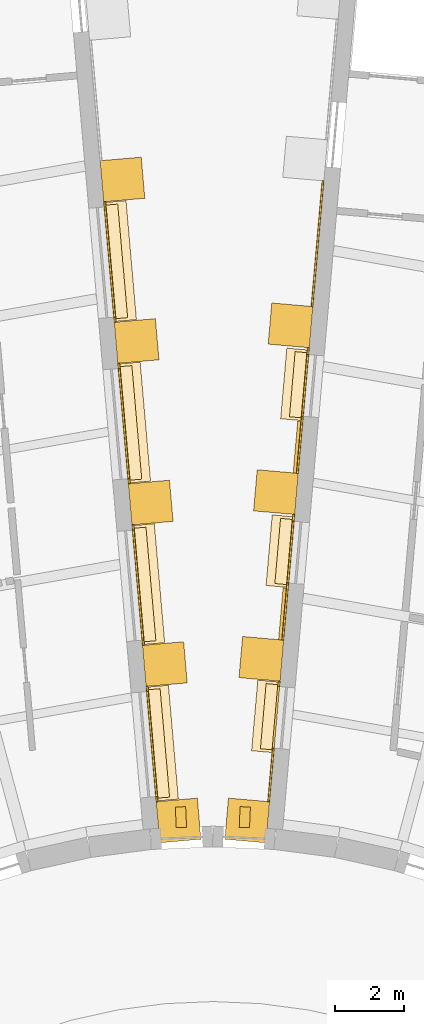
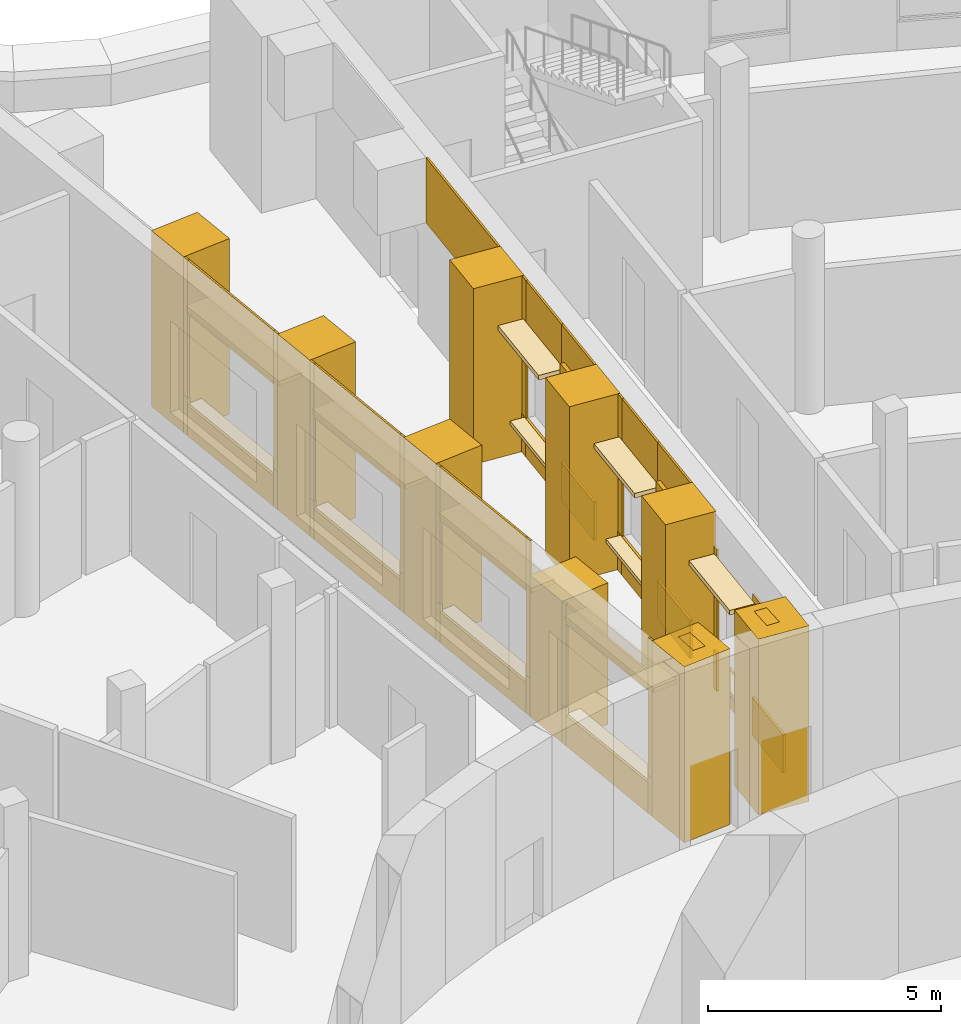
# One storey, part 78 of 85: 69 coverings.
"""IFC4 building model written with IfcOpenShell, lengths in metres."""

from ifc_helpers import new_model, si_unit, direction, frame, origin, origin_2d, place, context, subcontext, project, spatial, polyline, rectangle, outline, extrude, material, layer, layer_set, type_object, element, save


model = new_model("IFC4")

# Units and contexts
model_context = context("Model", 3, precision=1e-05, world=origin(), true_north=direction((0.0, 1.0)))
body_context = subcontext(model_context, "Body", "Model", "MODEL_VIEW")
ifc_project = project(units=[si_unit("LENGTHUNIT", "METRE"), si_unit("AREAUNIT", "SQUARE_METRE"), si_unit("VOLUMEUNIT", "CUBIC_METRE"), si_unit("PLANEANGLEUNIT", "RADIAN"), si_unit("MASSUNIT", "GRAM", prefix="KILO")], contexts=[model_context])

# Site, building, storey
site_placement = place(None, origin())
site = spatial("IfcSite", under=ifc_project, at=site_placement, CompositionType="ELEMENT")
building_placement = place(site_placement, origin())
building = spatial("IfcBuilding", under=site, at=building_placement, Name="Volute Hill Aquarium", CompositionType="ELEMENT")
storey_placement = place(building_placement, origin())
storey = spatial("IfcBuildingStorey", under=building, at=storey_placement, Name="L01", CompositionType="ELEMENT", Elevation=0.0)

# Coverings
ifc_material_1 = material(Name="Precast pale concrete C40/50", Category="concrete")
covering_type_1 = type_object("IfcCoveringType", Name="Drum pier fin 300x600", PredefinedType="CLADDING", material=ifc_material_1)
for number, where, z_axis, x_axis, name in (
    (1, (0.92822265625, 21.260009765625, 0.0), (0.0, 0.0, 1.0), (-0.999048221582, 0.043619387365, 0.0), "Drum pier fin DF 18 L01"),
    (2, (-0.92822265625, 21.260009765625, 0.0), (0.0, 0.0, 1.0), (-0.999048221582, -0.043619387365, 0.0), "Drum pier fin DF 19 L01"),
):
    element("IfcCovering", number, at=place(storey_placement, frame(where, z_axis=z_axis, x_axis=x_axis)), inside=storey, type_object=covering_type_1, Name=name, PredefinedType="CLADDING", context=body_context, shape_type="SweptSolid", body=[
        extrude(rectangle(XDim=0.300048828125, YDim=0.60009765625, at=origin_2d()), origin(), (0.0, 0.0, 1.0), 4.60009765625),
    ])
ifc_material_2 = material(Name="Aluminium", Category="aluminium")
ifc_layer_1 = layer(ifc_material_2, 0.10009765625)
ifc_layer_set_1 = layer_set([ifc_layer_1], Name="End wall plant louvre panel 100")
covering_type_2 = type_object("IfcCoveringType", Name="End wall plant louvre panel 100", PredefinedType="CLADDING", material=ifc_layer_set_1)
for number, where, z_axis, x_axis, name in (
    (3, (2.02587890625, 27.1708984375, 1.300048828125), (0.0, 0.0, 1.0), (0.087157252259, 0.996194566025, 0.0), "End wall plant louvre EWV S5B L01 2"),
    (4, (2.449951171875, 32.018310546875, 1.300048828125), (0.0, 0.0, 1.0), (0.087157252259, 0.996194566025, 0.0), "End wall plant louvre EWV S5B L01 3"),
):
    element("IfcCovering", number, at=place(storey_placement, frame(where, z_axis=z_axis, x_axis=x_axis)), inside=storey, type_object=covering_type_2, Name=name, PredefinedType="CLADDING", context=body_context, shape_type="SweptSolid", body=[
        extrude(rectangle(XDim=1.51611328125, YDim=0.10009765625, at=origin_2d()), origin(), (0.0, 0.0, 1.0), 2.39990234375),
    ])
ifc_material_3 = material(Name="Blue limestone", Category="masonry")
ifc_layer_2 = layer(ifc_material_3, 0.06005859375)
ifc_layer_set_2 = layer_set([ifc_layer_2], Name="End wall plinth blue limestone 60")
covering_type_3 = type_object("IfcCoveringType", Name="End wall plinth blue limestone 60", PredefinedType="CLADDING", material=ifc_layer_set_2)
covering_1_placement = place(storey_placement, frame((1.648193359375, 21.708740234375, 0.0), z_axis=(0.996199994718, -0.087095180828, 0.0), x_axis=(0.087095180828, 0.996199994718, 0.0)))
element("IfcCovering", 5, at=covering_1_placement, inside=storey, type_object=covering_type_3, Name="End wall plinth EWL S5B L01 1", PredefinedType="CLADDING", context=body_context, shape_type="SweptSolid", body=[
    extrude(outline(polyline([(0.0, 0.0), (1.5613530717946378, 0.0), (1.5613530717946378, 1.0), (0.0, 1.0), (0.0, 0.0)])), origin(), (0.0, 0.0, -1.0), 0.06005859375),
])
covering_2_placement = place(storey_placement, frame((1.7841796875, 23.26416015625, 0.0), z_axis=(0.996189004481, -0.087220796552, 0.0), x_axis=(0.087220796552, 0.996189004481, 0.0)))
element("IfcCovering", 6, at=covering_2_placement, inside=storey, type_object=covering_type_3, Name="End wall plinth EWL S5B L01 1", PredefinedType="CLADDING", context=body_context, shape_type="SweptSolid", body=[
    extrude(outline(polyline([(0.0, 0.0), (1.7998278860086325, 0.0), (1.7998278860086325, 1.0), (0.0, 1.0), (0.0, 0.0)])), origin(), (0.0, 0.0, -1.0), 0.06005859375),
])
covering_3_placement = place(storey_placement, frame((1.941162109375, 25.05712890625, 0.0), z_axis=(0.996234670974, -0.086697637506, 0.0), x_axis=(0.086697637506, 0.996234670974, 0.0)))
element("IfcCovering", 7, at=covering_3_placement, inside=storey, type_object=covering_type_3, Name="End wall plinth EWL S5B L01 1", PredefinedType="CLADDING", context=body_context, shape_type="SweptSolid", body=[
    extrude(outline(polyline([(0.0, 0.0), (0.15488004934532784, 0.0), (0.15488004934532784, 1.0000000000000002), (0.0, 1.0000000000000002), (0.0, 0.0)])), origin(), (0.0, 0.0, -1.0), 0.06005859375),
])
covering_4_placement = place(storey_placement, frame((2.059326171875, 26.406982421875, 0.0), z_axis=(0.996204208519, -0.087046969676, 0.0), x_axis=(0.087046969676, 0.996204208519, 0.0)))
element("IfcCovering", 8, at=covering_4_placement, inside=storey, type_object=covering_type_3, Name="End wall plinth EWL S5B L01 2", PredefinedType="CLADDING", context=body_context, shape_type="SweptSolid", body=[
    extrude(outline(polyline([(0.0, 0.0), (1.6659917259514587, 0.0), (1.6659917259514587, 1.0), (0.0, 1.0), (0.0, 0.0)])), origin(), (0.0, 0.0, -1.0), 0.06005859375),
])
covering_5_placement = place(storey_placement, frame((2.204345703125, 28.066650390625, 0.0), z_axis=(0.996190036199, -0.087209012019, 0.0), x_axis=(0.087209012019, 0.996190036199, 0.0)))
element("IfcCovering", 9, at=covering_5_placement, inside=storey, type_object=covering_type_3, Name="End wall plinth EWL S5B L01 2", PredefinedType="CLADDING", context=body_context, shape_type="SweptSolid", body=[
    extrude(outline(polyline([(0.0, 0.0), (1.8000710963407553, 0.0), (1.8000710963407553, 1.0), (0.0, 1.0), (0.0, 0.0)])), origin(), (0.0, 0.0, -1.0), 0.06005859375),
])
covering_6_placement = place(storey_placement, frame((2.361328125, 29.85986328125, 0.0), z_axis=(0.996226815431, -0.086787857541, 0.0), x_axis=(0.086787857541, 0.996226815431, 0.0)))
element("IfcCovering", 10, at=covering_6_placement, inside=storey, type_object=covering_type_3, Name="End wall plinth EWL S5B L01 2", PredefinedType="CLADDING", context=body_context, shape_type="SweptSolid", body=[
    extrude(outline(polyline([(0.0, 0.0), (0.19972822081580408, 0.0), (0.19972822081580408, 1.0), (0.0, 1.0), (0.0, 0.0)])), origin(), (0.0, 0.0, -1.0), 0.06005859375),
])
covering_7_placement = place(storey_placement, frame((2.4833984375, 31.25439453125, 0.0), z_axis=(0.996192604141, -0.087179673403, 0.0), x_axis=(0.087179673403, 0.996192604141, 0.0)))
element("IfcCovering", 11, at=covering_7_placement, inside=storey, type_object=covering_type_3, Name="End wall plinth EWL S5B L01 3", PredefinedType="CLADDING", context=body_context, shape_type="SweptSolid", body=[
    extrude(outline(polyline([(0.0, 0.0), (1.666256206354944, 0.0), (1.666256206354944, 1.0), (0.0, 1.0), (0.0, 0.0)])), origin(), (0.0, 0.0, -1.0), 0.06005859375),
])
covering_8_placement = place(storey_placement, frame((2.628662109375, 32.914306640625, 0.0), z_axis=(0.996200781645, -0.087086179441, 0.0), x_axis=(0.087086179441, 0.996200781645, 0.0)))
element("IfcCovering", 12, at=covering_8_placement, inside=storey, type_object=covering_type_3, Name="End wall plinth EWL S5B L01 3", PredefinedType="CLADDING", context=body_context, shape_type="SweptSolid", body=[
    extrude(outline(polyline([(0.0, 0.0), (1.799806608301505, 0.0), (1.799806608301505, 1.0), (0.0, 1.0), (0.0, 0.0)])), origin(), (0.0, 0.0, -1.0), 0.06005859375),
])
covering_9_placement = place(storey_placement, frame((2.785400390625, 34.707275390625, 0.0), z_axis=(0.996236005649, -0.086682299511, 0.0), x_axis=(0.086682299511, 0.996236005649, 0.0)))
element("IfcCovering", 13, at=covering_9_placement, inside=storey, type_object=covering_type_3, Name="End wall plinth EWL S5B L01 3", PredefinedType="CLADDING", context=body_context, shape_type="SweptSolid", body=[
    extrude(outline(polyline([(0.0, 0.0), (0.19997144137570058, 0.0), (0.19997144137570058, 1.0), (0.0, 1.0), (0.0, 0.0)])), origin(), (0.0, 0.0, -1.0), 0.06005859375),
])
covering_10_placement = place(storey_placement, frame((-1.588623046875, 21.714111328125, 0.0), z_axis=(0.996129850025, 0.087893810296, 0.0), x_axis=(-0.087893810296, 0.996129850025, 0.0)))
element("IfcCovering", 14, at=covering_10_placement, inside=storey, type_object=covering_type_3, Name="End wall plinth EWL S6A L01 1", PredefinedType="CLADDING", context=body_context, shape_type="SweptSolid", body=[
    extrude(outline(polyline([(0.0, 0.0), (0.14999456395789465, 0.0), (0.14999456395789465, 1.0), (0.0, 1.0), (0.0, 0.0)])), origin(), (0.0, 0.0, -1.0), 0.06005859375),
])
covering_11_placement = place(storey_placement, frame((-1.601806640625, 21.863525390625, 0.0), z_axis=(0.996198906036, 0.087107632344, 0.0), x_axis=(-0.087107632344, 0.996198906036, 0.0)))
element("IfcCovering", 15, at=covering_11_placement, inside=storey, type_object=covering_type_3, Name="End wall plinth EWL S6A L01 1", PredefinedType="CLADDING", context=body_context, shape_type="SweptSolid", body=[
    extrude(outline(polyline([(0.0, 0.0), (3.0634020916998574, 0.0), (3.0634020916998574, 0.800048828125), (0.0, 0.800048828125), (0.0, 0.0)])), origin(), (0.0, 0.0, -1.0), 0.06005859375),
])
for number, where, z_axis, x_axis, name in (
    (16, (-1.86865234375, 24.915283203125, 0.0), (0.996129850025, 0.087893810296, 0.0), (-0.087893810296, 0.996129850025, 0.0), "End wall plinth EWL S6A L01 1"),
    (17, (-1.986328125, 26.26025390625, 0.0), (0.996129850025, 0.087893810296, 0.0), (-0.087893810296, 0.996129850025, 0.0), "End wall plinth EWL S6A L01 2"),
):
    element("IfcCovering", number, at=place(storey_placement, frame(where, z_axis=z_axis, x_axis=x_axis)), inside=storey, type_object=covering_type_3, Name=name, PredefinedType="CLADDING", context=body_context, shape_type="SweptSolid", body=[
        extrude(outline(polyline([(0.0, 0.0), (0.14999456395789465, 0.0), (0.14999456395789465, 1.0), (0.0, 1.0), (0.0, 0.0)])), origin(), (0.0, 0.0, -1.0), 0.06005859375),
    ])
covering_12_placement = place(storey_placement, frame((-1.99951171875, 26.40966796875, 0.0), z_axis=(0.996195119416, 0.087150926853, 0.0), x_axis=(-0.087150926853, 0.996195119416, 0.0)))
element("IfcCovering", 18, at=covering_12_placement, inside=storey, type_object=covering_type_3, Name="End wall plinth EWL S6A L01 2", PredefinedType="CLADDING", context=body_context, shape_type="SweptSolid", body=[
    extrude(outline(polyline([(0.0, 0.0), (3.2131533993569894, 0.0), (3.2131533993569894, 0.800048828125), (0.0, 0.800048828125), (0.0, 0.0)])), origin(), (0.0, 0.0, -1.0), 0.06005859375),
])
for number, where, z_axis, x_axis, name in (
    (19, (-2.279541015625, 29.610595703125, 0.0), (0.99627106838, 0.086278376837, 0.0), (-0.086278376837, 0.99627106838, 0.0), "End wall plinth EWL S6A L01 2"),
    (20, (-2.397216796875, 30.95556640625, 0.0), (0.99627106838, 0.086278376837, 0.0), (-0.086278376837, 0.99627106838, 0.0), "End wall plinth EWL S6A L01 3"),
):
    element("IfcCovering", number, at=place(storey_placement, frame(where, z_axis=z_axis, x_axis=x_axis)), inside=storey, type_object=covering_type_3, Name=name, PredefinedType="CLADDING", context=body_context, shape_type="SweptSolid", body=[
        extrude(outline(polyline([(0.0, 0.0), (0.14997330269060552, 0.0), (0.14997330269060552, 1.0), (0.0, 1.0), (0.0, 0.0)])), origin(), (0.0, 0.0, -1.0), 0.06005859375),
    ])
covering_13_placement = place(storey_placement, frame((-2.41015625, 31.10498046875, 0.0), z_axis=(0.996195696453, 0.087144330677, 0.0), x_axis=(-0.087144330677, 0.996195696453, 0.0)))
element("IfcCovering", 21, at=covering_13_placement, inside=storey, type_object=covering_type_3, Name="End wall plinth EWL S6A L01 3", PredefinedType="CLADDING", context=body_context, shape_type="SweptSolid", body=[
    extrude(outline(polyline([(0.0, 0.0), (3.213396611126507, 0.0), (3.213396611126507, 0.800048828125), (0.0, 0.800048828125), (0.0, 0.0)])), origin(), (0.0, 0.0, -1.0), 0.06005859375),
])
for number, where, z_axis, x_axis, name in (
    (22, (-2.690185546875, 34.30615234375, 0.0), (0.996129850025, 0.087893810296, 0.0), (-0.087893810296, 0.996129850025, 0.0), "End wall plinth EWL S6A L01 3"),
    (23, (-2.807861328125, 35.65087890625, 0.0), (0.996129850025, 0.087893810296, 0.0), (-0.087893810296, 0.996129850025, 0.0), "End wall plinth EWL S6A L01 4"),
):
    element("IfcCovering", number, at=place(storey_placement, frame(where, z_axis=z_axis, x_axis=x_axis)), inside=storey, type_object=covering_type_3, Name=name, PredefinedType="CLADDING", context=body_context, shape_type="SweptSolid", body=[
        extrude(outline(polyline([(0.0, 0.0), (0.14999456395789465, 0.0), (0.14999456395789465, 1.0), (0.0, 1.0), (0.0, 0.0)])), origin(), (0.0, 0.0, -1.0), 0.06005859375),
    ])
covering_14_placement = place(storey_placement, frame((-2.821044921875, 35.80029296875, 0.0), z_axis=(0.996195696453, 0.087144330677, 0.0), x_axis=(-0.087144330677, 0.996195696453, 0.0)))
element("IfcCovering", 24, at=covering_14_placement, inside=storey, type_object=covering_type_3, Name="End wall plinth EWL S6A L01 4", PredefinedType="CLADDING", context=body_context, shape_type="SweptSolid", body=[
    extrude(outline(polyline([(0.0, 0.0), (3.213396611126507, 0.0), (3.213396611126507, 0.800048828125), (0.0, 0.800048828125), (0.0, 0.0)])), origin(), (0.0, 0.0, -1.0), 0.06005859375),
])
covering_15_placement = place(storey_placement, frame((-3.10107421875, 39.00146484375, 0.0), z_axis=(0.996129850025, 0.087893810296, 0.0), x_axis=(-0.087893810296, 0.996129850025, 0.0)))
element("IfcCovering", 25, at=covering_15_placement, inside=storey, type_object=covering_type_3, Name="End wall plinth EWL S6A L01 4", PredefinedType="CLADDING", context=body_context, shape_type="SweptSolid", body=[
    extrude(outline(polyline([(0.0, 0.0), (0.14999456395789465, 0.0), (0.14999456395789465, 1.0), (0.0, 1.0), (0.0, 0.0)])), origin(), (0.0, 0.0, -1.0), 0.06005859375),
])
ifc_material_4 = material(Name="Precast concrete C40/50", Category="concrete")
covering_type_4 = type_object("IfcCoveringType", Name="End wall precast fin C40/50 1200x1200", PredefinedType="CLADDING", material=ifc_material_4)
for number, where, z_axis, x_axis, name in (
    (26, (0.998291015625, 21.16357421875, 0.0), (0.0, 0.0, 1.0), (0.087157252259, 0.996194566025, 0.0), "End wall fin EWF S5B L01 1"),
    (27, (1.409423828125, 25.861572265625, 0.0), (0.0, 0.0, 1.0), (0.087157252259, 0.996194566025, 0.0), "End wall fin EWF S5B L01 2"),
    (28, (1.83349609375, 30.708984375, 0.0), (0.0, 0.0, 1.0), (0.087157252259, 0.996194566025, 0.0), "End wall fin EWF S5B L01 3"),
    (29, (2.257568359375, 35.556396484375, 0.0), (0.0, 0.0, 1.0), (0.087157252259, 0.996194566025, 0.0), "End wall fin EWF S5B L01 4"),
    (30, (-0.998291015625, 21.16357421875, 0.0), (0.0, 0.0, 1.0), (-0.087158393672, 0.996194466162, 0.0), "End wall fin EWF S6A L01 1"),
):
    element("IfcCovering", number, at=place(storey_placement, frame(where, z_axis=z_axis, x_axis=x_axis)), inside=storey, type_object=covering_type_4, Name=name, PredefinedType="CLADDING", context=body_context, shape_type="SweptSolid", body=[
        extrude(rectangle(XDim=1.199951171875, YDim=1.199951171875, at=origin_2d()), origin(), (0.0, 0.0, 1.0), 4.60009765625),
    ])
covering_16_placement = place(storey_placement, frame((-1.39599609375, 25.70947265625, 0.0), z_axis=(0.0, 0.0, 1.0), x_axis=(-0.087158393672, 0.996194466162, 0.0)))
element("IfcCovering", 31, at=covering_16_placement, inside=storey, type_object=covering_type_4, Name="End wall fin EWF S6A L01 2", PredefinedType="CLADDING", context=body_context, shape_type="SweptSolid", body=[
    extrude(rectangle(XDim=1.199951171875, YDim=1.199951171875, at=origin_2d()), origin(), (0.0, 0.0, 1.0), 3.699951171875),
])
for number, where, z_axis, x_axis, name in (
    (32, (-1.806884765625, 30.40478515625, 0.0), (0.0, 0.0, 1.0), (-0.087158393672, 0.996194466162, 0.0), "End wall fin EWF S6A L01 3"),
    (33, (-2.217529296875, 35.100341796875, 0.0), (0.0, 0.0, 1.0), (-0.087158393672, 0.996194466162, 0.0), "End wall fin EWF S6A L01 4"),
    (34, (-2.62841796875, 39.795654296875, 0.0), (0.0, 0.0, 1.0), (-0.087158393672, 0.996194466162, 0.0), "End wall fin EWF S6A L01 5"),
):
    element("IfcCovering", number, at=place(storey_placement, frame(where, z_axis=z_axis, x_axis=x_axis)), inside=storey, type_object=covering_type_4, Name=name, PredefinedType="CLADDING", context=body_context, shape_type="SweptSolid", body=[
        extrude(rectangle(XDim=1.199951171875, YDim=1.199951171875, at=origin_2d()), origin(), (0.0, 0.0, 1.0), 4.60009765625),
    ])
ifc_material_5 = material(Name="Precast concrete C40/50", Category="concrete")
ifc_layer_3 = layer(ifc_material_5, 0.050048828125)
ifc_layer_set_3 = layer_set([ifc_layer_3], Name="End wall precast infill panel C40/50 50")
covering_type_5 = type_object("IfcCoveringType", Name="End wall precast infill panel C40/50 50", PredefinedType="CLADDING", material=ifc_layer_set_3)
covering_17_placement = place(storey_placement, frame((1.648193359375, 21.708984375, 1.0), z_axis=(0.996185225341, -0.087263949096, 0.0), x_axis=(0.087263949096, 0.996185225341, 0.0)))
element("IfcCovering", 35, at=covering_17_placement, inside=storey, type_object=covering_type_5, Name="End wall panel EWP S5B L01 1", PredefinedType="CLADDING", context=body_context, shape_type="SweptSolid", body=[
    extrude(outline(polyline([(0.0, 0.0), (1.5611311447800895, 0.0), (1.5611311447800895, 2.699951171875), (0.0, 2.699951171875), (0.0, 0.0)])), origin(), (0.0, 0.0, -1.0), 0.050048828125),
])
covering_18_placement = place(storey_placement, frame((1.941162109375, 25.057373046875, 1.0), z_axis=(0.99608500593, -0.088400571049, 0.0), x_axis=(0.088400571049, 0.99608500593, 0.0)))
element("IfcCovering", 36, at=covering_18_placement, inside=storey, type_object=covering_type_5, Name="End wall panel EWP S5B L01 1", PredefinedType="CLADDING", context=body_context, shape_type="SweptSolid", body=[
    extrude(outline(polyline([(0.0, 0.0), (0.1546582203907375, 0.0), (0.1546582203907375, 2.6999511718750004), (0.0, 2.6999511718750004), (0.0, 0.0)])), origin(), (0.0, 0.0, -1.0), 0.050048828125),
])
covering_19_placement = place(storey_placement, frame((2.059326171875, 26.406982421875, 1.0), z_axis=(0.996192604141, -0.087179673403, 0.0), x_axis=(0.087179673403, 0.996192604141, 0.0)))
element("IfcCovering", 37, at=covering_19_placement, inside=storey, type_object=covering_type_5, Name="End wall panel EWP S5B L01 2", PredefinedType="CLADDING", context=body_context, shape_type="SweptSolid", body=[
    extrude(outline(polyline([(0.0, 0.0), (1.666256206354944, 0.0), (1.666256206354944, 3.60009765625), (0.0, 3.60009765625), (0.0, 0.0)])), origin(), (0.0, 0.0, -1.0), 0.050048828125),
])
covering_20_placement = place(storey_placement, frame((2.20458984375, 28.06689453125, 3.39990234375), z_axis=(0.996200781645, -0.087086179441, 0.0), x_axis=(0.087086179441, 0.996200781645, 0.0)))
element("IfcCovering", 38, at=covering_20_placement, inside=storey, type_object=covering_type_5, Name="End wall panel EWP S5B L01 2", PredefinedType="CLADDING", context=body_context, shape_type="SweptSolid", body=[
    extrude(outline(polyline([(0.0, 0.0), (1.799806608301505, 0.0), (1.799806608301505, 1.2001953125000002), (0.0, 1.2001953125000002), (0.0, 0.0)])), origin(), (0.0, 0.0, -1.0), 0.050048828125),
])
covering_21_placement = place(storey_placement, frame((2.361328125, 29.85986328125, 1.0), z_axis=(0.996129850025, -0.087893810296, 0.0), x_axis=(0.087893810296, 0.996129850025, 0.0)))
element("IfcCovering", 39, at=covering_21_placement, inside=storey, type_object=covering_type_5, Name="End wall panel EWP S5B L01 2", PredefinedType="CLADDING", context=body_context, shape_type="SweptSolid", body=[
    extrude(outline(polyline([(0.0, 0.0), (0.19999275194385951, 0.0), (0.19999275194385951, 3.60009765625), (0.0, 3.60009765625), (0.0, 0.0)])), origin(), (0.0, 0.0, -1.0), 0.050048828125),
])
covering_22_placement = place(storey_placement, frame((2.4833984375, 31.25439453125, 1.0), z_axis=(0.996192604141, -0.087179673403, 0.0), x_axis=(0.087179673403, 0.996192604141, 0.0)))
element("IfcCovering", 40, at=covering_22_placement, inside=storey, type_object=covering_type_5, Name="End wall panel EWP S5B L01 3", PredefinedType="CLADDING", context=body_context, shape_type="SweptSolid", body=[
    extrude(outline(polyline([(0.0, 0.0), (1.666256206354944, 0.0), (1.666256206354944, 3.60009765625), (0.0, 3.60009765625), (0.0, 0.0)])), origin(), (0.0, 0.0, -1.0), 0.050048828125),
])
covering_23_placement = place(storey_placement, frame((2.628662109375, 32.914306640625, 3.39990234375), z_axis=(0.996190036199, -0.087209012019, 0.0), x_axis=(0.087209012019, 0.996190036199, 0.0)))
element("IfcCovering", 41, at=covering_23_placement, inside=storey, type_object=covering_type_5, Name="End wall panel EWP S5B L01 3", PredefinedType="CLADDING", context=body_context, shape_type="SweptSolid", body=[
    extrude(outline(polyline([(0.0, 0.0), (1.8000710963407553, 0.0), (1.8000710963407553, 1.2001953125), (0.0, 1.2001953125), (0.0, 0.0)])), origin(), (0.0, 0.0, -1.0), 0.050048828125),
])
covering_24_placement = place(storey_placement, frame((2.78564453125, 34.70751953125, 1.0), z_axis=(0.996226815431, -0.086787857541, 0.0), x_axis=(0.086787857541, 0.996226815431, 0.0)))
element("IfcCovering", 42, at=covering_24_placement, inside=storey, type_object=covering_type_5, Name="End wall panel EWP S5B L01 3", PredefinedType="CLADDING", context=body_context, shape_type="SweptSolid", body=[
    extrude(outline(polyline([(0.0, 0.0), (0.19972822081580408, 0.0), (0.19972822081580408, 3.60009765625), (0.0, 3.60009765625), (0.0, 0.0)])), origin(), (0.0, 0.0, -1.0), 0.050048828125),
])
covering_25_placement = place(storey_placement, frame((2.907470703125, 36.101806640625, 2.89990234375), z_axis=(0.996193211486, -0.087172733059, 0.0), x_axis=(0.087172733059, 0.996193211486, 0.0)))
element("IfcCovering", 43, at=covering_25_placement, inside=storey, type_object=covering_type_5, Name="End wall panel EWP S5B L01 4", PredefinedType="CLADDING", context=body_context, shape_type="SweptSolid", body=[
    extrude(outline(polyline([(0.0, 0.0), (3.666055507371841, 0.0), (3.666055507371841, 1.7001953125), (0.0, 1.7001953125), (0.0, 0.0)])), origin(), (0.0, 0.0, -1.0), 0.050048828125),
])
covering_26_placement = place(storey_placement, frame((-1.598388671875, 21.71337890625, 1.0), z_axis=(0.996129850025, 0.087893810296, 0.0), x_axis=(-0.087893810296, 0.996129850025, 0.0)))
element("IfcCovering", 44, at=covering_26_placement, inside=storey, type_object=covering_type_5, Name="End wall panel EWP S6A L01 1", PredefinedType="CLADDING", context=body_context, shape_type="SweptSolid", body=[
    extrude(outline(polyline([(0.0, 0.0), (0.14999456395789465, 0.0), (0.14999456395789465, 3.60009765625), (0.0, 3.60009765625), (0.0, 0.0)])), origin(), (0.0, 0.0, -1.0), 0.050048828125),
])
covering_27_placement = place(storey_placement, frame((-1.611572265625, 21.86279296875, 3.199951171875), z_axis=(0.996191381332, 0.087193645186, 0.0), x_axis=(-0.087193645186, 0.996191381332, 0.0)))
element("IfcCovering", 45, at=covering_27_placement, inside=storey, type_object=covering_type_5, Name="End wall panel EWP S6A L01 1", PredefinedType="CLADDING", context=body_context, shape_type="SweptSolid", body=[
    extrude(outline(polyline([(0.0, 0.0), (3.06318015700586, 0.0), (3.06318015700586, 0.5), (0.0, 0.5), (0.0, 0.0)])), origin(), (0.0, 0.0, -1.0), 0.050048828125),
])
covering_28_placement = place(storey_placement, frame((-1.878662109375, 24.914306640625, 1.0), z_axis=(0.99627106838, 0.086278376837, 0.0), x_axis=(-0.086278376837, 0.99627106838, 0.0)))
element("IfcCovering", 46, at=covering_28_placement, inside=storey, type_object=covering_type_5, Name="End wall panel EWP S6A L01 1", PredefinedType="CLADDING", context=body_context, shape_type="SweptSolid", body=[
    extrude(outline(polyline([(0.0, 0.0), (0.14997330269060552, 0.0), (0.14997330269060552, 2.699951171875), (0.0, 2.699951171875), (0.0, 0.0)])), origin(), (0.0, 0.0, -1.0), 0.050048828125),
])
covering_29_placement = place(storey_placement, frame((-1.99609375, 26.25927734375, 1.0), z_axis=(0.996129850025, 0.087893810296, 0.0), x_axis=(-0.087893810296, 0.996129850025, 0.0)))
element("IfcCovering", 47, at=covering_29_placement, inside=storey, type_object=covering_type_5, Name="End wall panel EWP S6A L01 2", PredefinedType="CLADDING", context=body_context, shape_type="SweptSolid", body=[
    extrude(outline(polyline([(0.0, 0.0), (0.14999456395789465, 0.0), (0.14999456395789465, 3.60009765625), (0.0, 3.60009765625), (0.0, 0.0)])), origin(), (0.0, 0.0, -1.0), 0.050048828125),
])
covering_30_placement = place(storey_placement, frame((-2.00927734375, 26.40869140625, 3.199951171875), z_axis=(0.996195696453, 0.087144330677, 0.0), x_axis=(-0.087144330677, 0.996195696453, 0.0)))
element("IfcCovering", 48, at=covering_30_placement, inside=storey, type_object=covering_type_5, Name="End wall panel EWP S6A L01 2", PredefinedType="CLADDING", context=body_context, shape_type="SweptSolid", body=[
    extrude(outline(polyline([(0.0, 0.0), (3.213396611126507, 0.0), (3.213396611126507, 1.400146484375), (0.0, 1.400146484375), (0.0, 0.0)])), origin(), (0.0, 0.0, -1.0), 0.050048828125),
])
for number, where, z_axis, x_axis, name in (
    (49, (-2.289306640625, 29.60986328125, 1.0), (0.996129850025, 0.087893810296, 0.0), (-0.087893810296, 0.996129850025, 0.0), "End wall panel EWP S6A L01 2"),
    (50, (-2.406982421875, 30.95458984375, 1.0), (0.996129850025, 0.087893810296, 0.0), (-0.087893810296, 0.996129850025, 0.0), "End wall panel EWP S6A L01 3"),
):
    element("IfcCovering", number, at=place(storey_placement, frame(where, z_axis=z_axis, x_axis=x_axis)), inside=storey, type_object=covering_type_5, Name=name, PredefinedType="CLADDING", context=body_context, shape_type="SweptSolid", body=[
        extrude(outline(polyline([(0.0, 0.0), (0.14999456395789465, 0.0), (0.14999456395789465, 3.60009765625), (0.0, 3.60009765625), (0.0, 0.0)])), origin(), (0.0, 0.0, -1.0), 0.050048828125),
    ])
covering_31_placement = place(storey_placement, frame((-2.420166015625, 31.10400390625, 3.199951171875), z_axis=(0.996195696453, 0.087144330677, 0.0), x_axis=(-0.087144330677, 0.996195696453, 0.0)))
element("IfcCovering", 51, at=covering_31_placement, inside=storey, type_object=covering_type_5, Name="End wall panel EWP S6A L01 3", PredefinedType="CLADDING", context=body_context, shape_type="SweptSolid", body=[
    extrude(outline(polyline([(0.0, 0.0), (3.213396611126507, 0.0), (3.213396611126507, 1.400146484375), (0.0, 1.400146484375), (0.0, 0.0)])), origin(), (0.0, 0.0, -1.0), 0.050048828125),
])
for number, where, z_axis, x_axis, name in (
    (52, (-2.7001953125, 34.30517578125, 1.0), (0.99627106838, 0.086278376837, 0.0), (-0.086278376837, 0.99627106838, 0.0), "End wall panel EWP S6A L01 3"),
    (53, (-2.81787109375, 35.650146484375, 1.0), (0.99627106838, 0.086278376837, 0.0), (-0.086278376837, 0.99627106838, 0.0), "End wall panel EWP S6A L01 4"),
):
    element("IfcCovering", number, at=place(storey_placement, frame(where, z_axis=z_axis, x_axis=x_axis)), inside=storey, type_object=covering_type_5, Name=name, PredefinedType="CLADDING", context=body_context, shape_type="SweptSolid", body=[
        extrude(outline(polyline([(0.0, 0.0), (0.14997330269060552, 0.0), (0.14997330269060552, 3.60009765625), (0.0, 3.60009765625), (0.0, 0.0)])), origin(), (0.0, 0.0, -1.0), 0.050048828125),
    ])
covering_32_placement = place(storey_placement, frame((-2.830810546875, 35.799560546875, 3.199951171875), z_axis=(0.996188519932, 0.087226330629, 0.0), x_axis=(-0.087226330629, 0.996188519932, 0.0)))
element("IfcCovering", 54, at=covering_32_placement, inside=storey, type_object=covering_type_5, Name="End wall panel EWP S6A L01 4", PredefinedType="CLADDING", context=body_context, shape_type="SweptSolid", body=[
    extrude(outline(polyline([(0.0, 0.0), (3.213174685643334, 0.0), (3.213174685643334, 1.400146484375), (0.0, 1.400146484375), (0.0, 0.0)])), origin(), (0.0, 0.0, -1.0), 0.050048828125),
])
covering_33_placement = place(storey_placement, frame((-3.111083984375, 39.00048828125, 1.0), z_axis=(0.99627106838, 0.086278376837, 0.0), x_axis=(-0.086278376837, 0.99627106838, 0.0)))
element("IfcCovering", 55, at=covering_33_placement, inside=storey, type_object=covering_type_5, Name="End wall panel EWP S6A L01 4", PredefinedType="CLADDING", context=body_context, shape_type="SweptSolid", body=[
    extrude(outline(polyline([(0.0, 0.0), (0.14997330269060552, 0.0), (0.14997330269060552, 3.60009765625), (0.0, 3.60009765625), (0.0, 0.0)])), origin(), (0.0, 0.0, -1.0), 0.050048828125),
])
ifc_material_6 = material(Name="Precast concrete C40/50", Category="concrete")
ifc_layer_4 = layer(ifc_material_6, 0.1201171875)
ifc_layer_set_4 = layer_set([ifc_layer_4], Name="End wall window head blade precast C40/50 600x120")
covering_type_6 = type_object("IfcCoveringType", Name="End wall window head blade precast C40/50 600x120", PredefinedType="CLADDING", material=ifc_layer_set_4)
for number, where, z_axis, x_axis, name in (
    (56, (1.51416015625, 24.191162109375, 3.39990234375), (0.0, 0.0, 1.0), (0.087157252259, 0.996194566025, 0.0), "End wall window head blade EWB S5B L01 1.1"),
    (57, (1.934326171875, 28.993896484375, 3.39990234375), (0.0, 0.0, 1.0), (0.087157252259, 0.996194566025, 0.0), "End wall window head blade EWB S5B L01 2.1"),
    (58, (2.3583984375, 33.84130859375, 3.39990234375), (0.0, 0.0, 1.0), (0.087157252259, 0.996194566025, 0.0), "End wall window head blade EWB S5B L01 3.1"),
):
    element("IfcCovering", number, at=place(storey_placement, frame(where, z_axis=z_axis, x_axis=x_axis)), inside=storey, type_object=covering_type_6, Name=name, PredefinedType="CLADDING", context=body_context, shape_type="SweptSolid", body=[
        extrude(rectangle(XDim=2.06005859375, YDim=0.60009765625, at=origin_2d()), origin(), (0.0, 0.0, 1.0), 0.1201171875),
    ])
covering_34_placement = place(storey_placement, frame((-1.4462890625, 23.41455078125, 3.199951171875), z_axis=(0.0, 0.0, 1.0), x_axis=(-0.087158393672, 0.996194466162, 0.0)))
element("IfcCovering", 59, at=covering_34_placement, inside=storey, type_object=covering_type_6, Name="End wall window head blade EWB S6A L01 1.1", PredefinedType="CLADDING", context=body_context, shape_type="SweptSolid", body=[
    extrude(rectangle(XDim=3.3232421875, YDim=0.60009765625, at=origin_2d()), origin(), (0.0, 0.0, 1.0), 0.1201171875),
])
for number, where, z_axis, x_axis, name in (
    (60, (-1.850341796875, 28.035400390625, 3.199951171875), (0.0, 0.0, 1.0), (-0.087158393672, 0.996194466162, 0.0), "End wall window head blade EWB S6A L01 2.1"),
    (61, (-2.26123046875, 32.730712890625, 3.199951171875), (0.0, 0.0, 1.0), (-0.087158393672, 0.996194466162, 0.0), "End wall window head blade EWB S6A L01 3.1"),
    (62, (-2.672119140625, 37.426025390625, 3.199951171875), (0.0, 0.0, 1.0), (-0.087158393672, 0.996194466162, 0.0), "End wall window head blade EWB S6A L01 4.1"),
):
    element("IfcCovering", number, at=place(storey_placement, frame(where, z_axis=z_axis, x_axis=x_axis)), inside=storey, type_object=covering_type_6, Name=name, PredefinedType="CLADDING", context=body_context, shape_type="SweptSolid", body=[
        extrude(rectangle(XDim=3.473388671875, YDim=0.60009765625, at=origin_2d()), origin(), (0.0, 0.0, 1.0), 0.1201171875),
    ])
ifc_material_7 = material(Name="Precast concrete C40/50", Category="concrete")
ifc_layer_5 = layer(ifc_material_7, 0.10009765625)
ifc_layer_set_5 = layer_set([ifc_layer_5], Name="End wall window sill precast C40/50 350x100")
covering_type_7 = type_object("IfcCoveringType", Name="End wall window sill precast C40/50 350x100", PredefinedType="CLADDING", material=ifc_layer_set_5)
for number, where, z_axis, x_axis, name in (
    (63, (1.638671875, 24.180419921875, 0.89990234375), (0.0, 0.0, 1.0), (0.087157252259, 0.996194566025, 0.0), "End wall window sill EWS S5B L01 1.1"),
    (64, (2.058837890625, 28.98291015625, 0.89990234375), (0.0, 0.0, 1.0), (0.087157252259, 0.996194566025, 0.0), "End wall window sill EWS S5B L01 2.1"),
    (65, (2.48291015625, 33.83056640625, 0.89990234375), (0.0, 0.0, 1.0), (0.087157252259, 0.996194566025, 0.0), "End wall window sill EWS S5B L01 3.1"),
):
    element("IfcCovering", number, at=place(storey_placement, frame(where, z_axis=z_axis, x_axis=x_axis)), inside=storey, type_object=covering_type_7, Name=name, PredefinedType="CLADDING", context=body_context, shape_type="SweptSolid", body=[
        extrude(rectangle(XDim=1.89990234375, YDim=0.35009765625, at=origin_2d()), origin(), (0.0, 0.0, 1.0), 0.10009765625),
    ])
covering_35_placement = place(storey_placement, frame((-1.57080078125, 23.40380859375, 0.699951171875), z_axis=(0.0, 0.0, 1.0), x_axis=(-0.087158393672, 0.996194466162, 0.0)))
element("IfcCovering", 66, at=covering_35_placement, inside=storey, type_object=covering_type_7, Name="End wall window sill EWS S6A L01 1.1", PredefinedType="CLADDING", context=body_context, shape_type="SweptSolid", body=[
    extrude(rectangle(XDim=3.163330078125, YDim=0.35009765625, at=origin_2d()), origin(), (0.0, 0.0, 1.0), 0.10009765625),
])
for number, where, z_axis, x_axis, name in (
    (67, (-1.97509765625, 28.0244140625, 0.699951171875), (0.0, 0.0, 1.0), (-0.087158393672, 0.996194466162, 0.0), "End wall window sill EWS S6A L01 2.1"),
    (68, (-2.3857421875, 32.719970703125, 0.699951171875), (0.0, 0.0, 1.0), (-0.087158393672, 0.996194466162, 0.0), "End wall window sill EWS S6A L01 3.1"),
    (69, (-2.796630859375, 37.415283203125, 0.699951171875), (0.0, 0.0, 1.0), (-0.087158393672, 0.996194466162, 0.0), "End wall window sill EWS S6A L01 4.1"),
):
    element("IfcCovering", number, at=place(storey_placement, frame(where, z_axis=z_axis, x_axis=x_axis)), inside=storey, type_object=covering_type_7, Name=name, PredefinedType="CLADDING", context=body_context, shape_type="SweptSolid", body=[
        extrude(rectangle(XDim=3.313232421875, YDim=0.35009765625, at=origin_2d()), origin(), (0.0, 0.0, 1.0), 0.10009765625),
    ])

save(model, "model.ifc")
